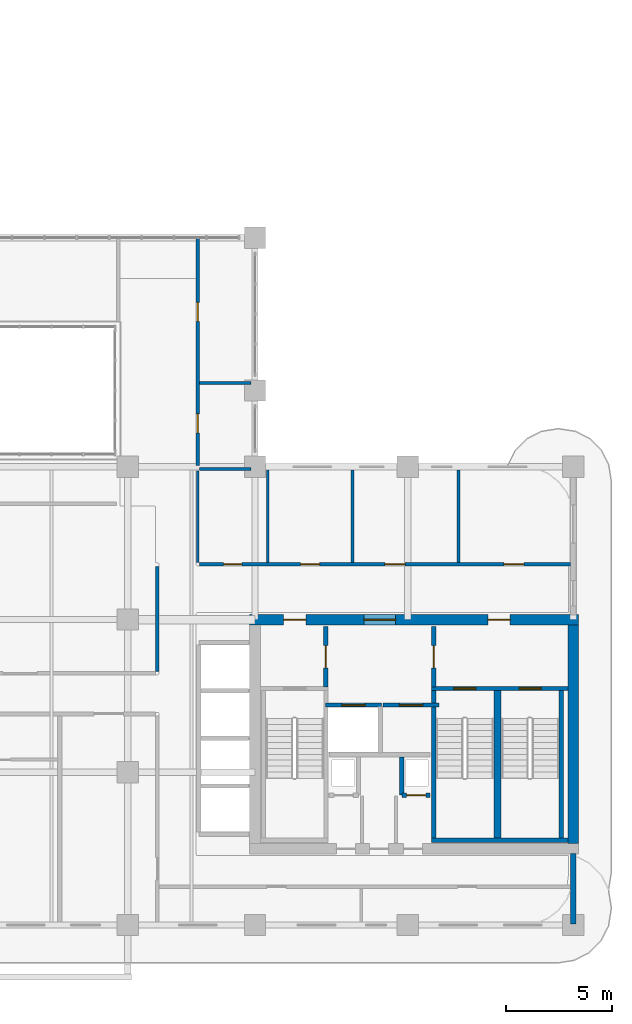
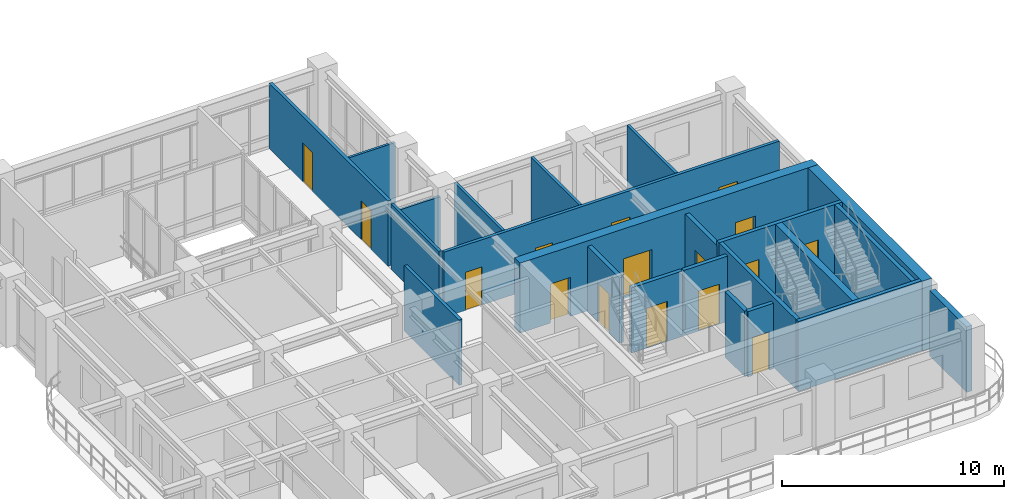
# One storey, part 13 of 19: 23 walls, 16 doors, 16 openings.
"""IFC4 building model written with IfcOpenShell, lengths in metres."""

from ifc_helpers import new_model, si_unit, derived_unit, direction, frame, frame_2d, origin, place, context, subcontext, project, spatial, rectangle, extrude, source, transform, mapped, material, layer, layer_set, type_object, type_shapes, element, fill, save


model = new_model("IFC4")

# Units and contexts
model_context = context("Model", 3, precision=1e-05, world=origin(), true_north=direction((0.0, 1.0)))
body_context = subcontext(model_context, "Body", "Model", "MODEL_VIEW")
ifc_project = project(units=[si_unit("LENGTHUNIT", "METRE"), si_unit("AREAUNIT", "SQUARE_METRE"), si_unit("VOLUMEUNIT", "CUBIC_METRE"), si_unit("PLANEANGLEUNIT", "RADIAN"), si_unit("MASSUNIT", "GRAM", prefix="KILO"), si_unit("THERMODYNAMICTEMPERATUREUNIT", "KELVIN"), si_unit("POWERUNIT", "WATT"), derived_unit("THERMALTRANSMITTANCEUNIT", [(si_unit("POWERUNIT", "WATT"), 1), (si_unit("AREAUNIT", "SQUARE_METRE"), -1), (si_unit("THERMODYNAMICTEMPERATUREUNIT", "KELVIN"), -1)])], contexts=[model_context])

# Site, building, storey
site_placement = place(None, origin())
site = spatial("IfcSite", under=ifc_project, at=site_placement, CompositionType="ELEMENT")
building_placement = place(site_placement, origin())
building = spatial("IfcBuilding", under=site, at=building_placement, Name="Zahravan Archway Hotel and Residences", CompositionType="ELEMENT")
storey_placement = place(building_placement, frame((0.0, 0.0, 158.0)))
storey = spatial("IfcBuildingStorey", under=building, at=storey_placement, Name="L39", CompositionType="ELEMENT", Elevation=158.0)

# Wall, openings, doors
ifc_material_1 = material(Name="Concrete C60/75", Category="concrete")
ifc_layer_1 = layer(ifc_material_1, 0.5, Name="Concrete C60/75", Category="concrete")
ifc_layer_set_1 = layer_set([ifc_layer_1], Name="Concrete C60/75")
wall_type_1 = type_object("IfcWallType", Name="CW-CORE-500", PredefinedType="SHEAR", material=ifc_layer_set_1)
wall_1_placement = place(storey_placement, frame((34.550048828125, 14.39990234375, 0.0), z_axis=(0.0, 0.0, 1.0), x_axis=(1.0, 0.0, 0.0)))
wall_1 = element("IfcWall", 1, at=wall_1_placement, inside=storey, type_object=wall_type_1, Name="L39 Core A Shear N Wall 500 mm", PredefinedType="SHEAR", context=body_context, shape_type="SweptSolid", body=[
    extrude(rectangle(XDim=15.5, YDim=0.5, at=frame_2d((7.75, 0.0))), origin(), (0.0, 0.0, 1.0), 3.85009765625),
])
opening_1_placement = place(wall_1_placement, frame((5.3798828125, 0.0, 0.0)))
opening_1 = element("IfcOpeningElement", 2, at=opening_1_placement, cuts=wall_1, Name="Opening FD-L1", PredefinedType="OPENING", context=body_context, shape_type="SweptSolid", body=[
    extrude(rectangle(XDim=1.5, YDim=2.199951171875, at=frame_2d((0.75, 1.10009765625))), frame((0.0, 0.260009765625, 0.0), z_axis=(0.0, -1.0, 0.0), x_axis=(1.0, 0.0, 0.0)), (0.0, 0.0, 1.0), 0.52001953125),
])
opening_2_placement = place(wall_1_placement, frame((1.594970703125, 0.0, 0.0)))
opening_2 = element("IfcOpeningElement", 3, at=opening_2_placement, cuts=wall_1, Name="Opening FD-L2", PredefinedType="OPENING", context=body_context, shape_type="SweptSolid", body=[
    extrude(rectangle(XDim=1.050048828125, YDim=2.14990234375, at=frame_2d((0.52490234375, 1.074951171875))), frame((0.0, 0.260009765625, 0.0), z_axis=(0.0, -1.0, 0.0), x_axis=(1.0, 0.0, 0.0)), (0.0, 0.0, 1.0), 0.52001953125),
])
opening_3_placement = place(wall_1_placement, frame((11.22509765625, 0.0, 0.0)))
opening_3 = element("IfcOpeningElement", 4, at=opening_3_placement, cuts=wall_1, Name="Opening FD-L2", PredefinedType="OPENING", context=body_context, shape_type="SweptSolid", body=[
    extrude(rectangle(XDim=1.050048828125, YDim=2.14990234375, at=frame_2d((0.52490234375, 1.074951171875))), frame((0.0, 0.260009765625, 0.0), z_axis=(0.0, -1.0, 0.0), x_axis=(1.0, 0.0, 0.0)), (0.0, 0.0, 1.0), 0.52001953125),
])
ifc_material_2 = material(Name="Fire-Rated Painted Steel", Category="steel")
door_type_1 = type_object("IfcDoorType", Name="FD-LOBBY-1100", OperationType="NOTDEFINED", PredefinedType="DOOR", material=ifc_material_2)
shared_shape_1 = source(origin(), body_context, "Body", "SweptSolid", [
    extrude(rectangle(XDim=1.050048828125, YDim=2.14990234375, at=frame_2d((0.52490234375, 1.074951171875))), frame((0.0, 0.02490234375, 0.0), z_axis=(0.0, -1.0, 0.0), x_axis=(1.0, 0.0, 0.0)), (0.0, 0.0, 1.0), 0.050048828125),
])
type_shapes(door_type_1, [shared_shape_1])
door_1_placement = place(opening_2_placement, origin())
door_1 = element("IfcDoor", 5, at=door_1_placement, inside=storey, type_object=door_type_1, Name="L39 Core A West Stair Lobby Door", OperationType="SINGLE_SWING_RIGHT", OverallHeight=2.14990234375, OverallWidth=1.050048828125, PredefinedType="DOOR", context=body_context, shape_type="MappedRepresentation", body=[
    mapped(shared_shape_1, transform((0.0, 0.0, 0.0), scale=1.0)),
])
fill(opening_2, door_1)
door_2_placement = place(opening_3_placement, origin())
door_2 = element("IfcDoor", 6, at=door_2_placement, inside=storey, type_object=door_type_1, Name="L39 Core A East Stair Lobby Door", OperationType="SINGLE_SWING_LEFT", OverallHeight=2.14990234375, OverallWidth=1.050048828125, PredefinedType="DOOR", context=body_context, shape_type="MappedRepresentation", body=[
    mapped(shared_shape_1, transform((0.0, 0.0, 0.0), scale=1.0)),
])
fill(opening_3, door_2)
door_type_2 = type_object("IfcDoorType", Name="FD-LOBBY-1500", OperationType="DOUBLE_DOOR_SINGLE_SWING", PredefinedType="DOOR", material=ifc_material_2)
shared_shape_2 = source(origin(), body_context, "Body", "SweptSolid", [
    extrude(rectangle(XDim=1.5, YDim=2.199951171875, at=frame_2d((0.75, 1.10009765625))), frame((0.0, 0.02490234375, 0.0), z_axis=(0.0, -1.0, 0.0), x_axis=(1.0, 0.0, 0.0)), (0.0, 0.0, 1.0), 0.050048828125),
])
type_shapes(door_type_2, [shared_shape_2])
door_3_placement = place(opening_1_placement, origin())
door_3 = element("IfcDoor", 7, at=door_3_placement, inside=storey, type_object=door_type_2, Name="L39 Core A FSAE Lobby Main Door", OperationType="DOUBLE_DOOR_SINGLE_SWING", OverallHeight=2.199951171875, OverallWidth=1.5, PredefinedType="DOOR", context=body_context, shape_type="MappedRepresentation", body=[
    mapped(shared_shape_2, transform((0.0, 0.0, 0.0), scale=1.0)),
])
fill(opening_1, door_3)

# Walls
wall_2_placement = place(storey_placement, frame((49.800048828125, 3.85009765625, 0.0), z_axis=(0.0, 0.0, 1.0), x_axis=(0.0, 1.0, 0.0)))
element("IfcWall", 8, at=wall_2_placement, inside=storey, type_object=wall_type_1, Name="L39 Core A Shear E Wall 500 mm", PredefinedType="SHEAR", context=body_context, shape_type="SweptSolid", body=[
    extrude(rectangle(XDim=10.2998046875, YDim=0.5, at=frame_2d((5.14990234375, 0.0))), origin(), (0.0, 0.0, 1.0), 3.85009765625),
])
ifc_material_3 = material(Name="Honed Red-Ochre Sandstone & Insulated Block", Category="masonry")
ifc_layer_2 = layer(ifc_material_3, 0.280029296875, Name="Honed Red-Ochre Sandstone & Insulated Block", Category="masonry")
ifc_layer_set_2 = layer_set([ifc_layer_2], Name="Honed Red-Ochre Sandstone & Insulated Block")
wall_type_2 = type_object("IfcWallType", Name="EW-LOG-280", PredefinedType="SOLIDWALL", material=ifc_layer_set_2)
wall_3_placement = place(storey_placement, frame((49.800048828125, 0.050048828125, 0.0), z_axis=(0.0, 0.0, 1.0), x_axis=(0.0, 1.0, 0.0)))
element("IfcWall", 9, at=wall_3_placement, inside=storey, type_object=wall_type_2, Name="L39 Exterior Sandstone Wall WA-ES", PredefinedType="SOLIDWALL", context=body_context, shape_type="SweptSolid", body=[
    extrude(rectangle(XDim=3.329833984375, YDim=0.280029296875, at=frame_2d((1.6650390625, 0.0))), origin(), (0.0, 0.0, 1.0), 3.60009765625),
])

# Wall, opening, door
ifc_material_4 = material(Name="Fire-Rated Gypsum & Concrete Block", Category="concrete")
ifc_layer_3 = layer(ifc_material_4, 0.219970703125, Name="Fire-Rated Gypsum & Concrete Block", Category="concrete")
ifc_layer_set_3 = layer_set([ifc_layer_3], Name="Fire-Rated Gypsum & Concrete Block")
wall_type_3 = type_object("IfcWallType", Name="PW-COMP-220", PredefinedType="PARTITIONING", material=ifc_layer_set_3)
wall_4_placement = place(storey_placement, frame((38.139892578125, 11.219970703125, 0.0), z_axis=(0.0, 0.0, 1.0), x_axis=(0.0, 1.0, 0.0)))
wall_4 = element("IfcWall", 10, at=wall_4_placement, inside=storey, type_object=wall_type_3, Name="L39 Partition CA-LOBW", PredefinedType="PARTITIONING", context=body_context, shape_type="SweptSolid", body=[
    extrude(rectangle(XDim=2.860107421875, YDim=0.219970703125, at=frame_2d((1.43017578125, 0.0))), origin(), (0.0, 0.0, 1.0), 3.60009765625),
])
opening_4_placement = place(wall_4_placement, frame((0.905029296875, 0.0, 0.0)))
opening_4 = element("IfcOpeningElement", 11, at=opening_4_placement, cuts=wall_4, Name="Opening FD-L2", PredefinedType="OPENING", context=body_context, shape_type="SweptSolid", body=[
    extrude(rectangle(XDim=1.050048828125, YDim=2.14990234375, at=frame_2d((0.52490234375, 1.074951171875))), frame((0.0, 0.1201171875, 0.0), z_axis=(0.0, -1.0, 0.0), x_axis=(1.0, 0.0, 0.0)), (0.0, 0.0, 1.0), 0.239990234375),
])
door_4_placement = place(opening_4_placement, origin())
door_4 = element("IfcDoor", 12, at=door_4_placement, inside=storey, type_object=door_type_1, Name="L39 Core A West Stair to FSAE Lobby Door", OperationType="SINGLE_SWING_RIGHT", OverallHeight=2.14990234375, OverallWidth=1.050048828125, PredefinedType="DOOR", context=body_context, shape_type="MappedRepresentation", body=[
    mapped(shared_shape_1, transform((0.0, 0.0, 0.0), scale=1.0)),
])
fill(opening_4, door_4)

wall_5_placement = place(storey_placement, frame((43.219970703125, 11.219970703125, 0.0), z_axis=(0.0, 0.0, 1.0), x_axis=(0.0, 1.0, 0.0)))
wall_5 = element("IfcWall", 13, at=wall_5_placement, inside=storey, type_object=wall_type_3, Name="L39 Partition CA-LOBE", PredefinedType="PARTITIONING", context=body_context, shape_type="SweptSolid", body=[
    extrude(rectangle(XDim=2.860107421875, YDim=0.219970703125, at=frame_2d((1.43017578125, 0.0))), origin(), (0.0, 0.0, 1.0), 3.60009765625),
])
opening_5_placement = place(wall_5_placement, frame((0.905029296875, 0.0, 0.0)))
opening_5 = element("IfcOpeningElement", 14, at=opening_5_placement, cuts=wall_5, Name="Opening FD-L2", PredefinedType="OPENING", context=body_context, shape_type="SweptSolid", body=[
    extrude(rectangle(XDim=1.050048828125, YDim=2.14990234375, at=frame_2d((0.52490234375, 1.074951171875))), frame((0.0, 0.1201171875, 0.0), z_axis=(0.0, -1.0, 0.0), x_axis=(1.0, 0.0, 0.0)), (0.0, 0.0, 1.0), 0.239990234375),
])
door_5_placement = place(opening_5_placement, origin())
door_5 = element("IfcDoor", 15, at=door_5_placement, inside=storey, type_object=door_type_1, Name="L39 Core A East Stair to FSAE Lobby Door", OperationType="SINGLE_SWING_LEFT", OverallHeight=2.14990234375, OverallWidth=1.050048828125, PredefinedType="DOOR", context=body_context, shape_type="MappedRepresentation", body=[
    mapped(shared_shape_1, transform((0.0, 0.0, 0.0), scale=1.0)),
])
fill(opening_5, door_5)

# Wall
ifc_layer_4 = layer(ifc_material_4, 0.159912109375, Name="Fire-Rated Gypsum & Concrete Block", Category="concrete")
ifc_layer_set_4 = layer_set([ifc_layer_4], Name="Fire-Rated Gypsum & Concrete Block")
wall_type_4 = type_object("IfcWallType", Name="PW-CORR-160", PredefinedType="PARTITIONING", material=ifc_layer_set_4)
wall_6_placement = place(storey_placement, frame((30.199951171875, 11.9599609375, 0.0), z_axis=(0.0, 0.0, 1.0), x_axis=(0.0, 1.0, 0.0)))
element("IfcWall", 16, at=wall_6_placement, inside=storey, type_object=wall_type_4, Name="L39 Partition WA-FW", PredefinedType="PARTITIONING", context=body_context, shape_type="SweptSolid", body=[
    extrude(rectangle(XDim=4.949951171875, YDim=0.159912109375, at=frame_2d((2.47509765625, 0.0))), origin(), (0.0, 0.0, 1.0), 3.60009765625),
])

# Wall, openings, doors
wall_7_placement = place(storey_placement, frame((32.18994140625, 17.0, 0.0), z_axis=(0.0, 0.0, 1.0), x_axis=(1.0, 0.0, 0.0)))
wall_7 = element("IfcWall", 17, at=wall_7_placement, inside=storey, type_object=wall_type_4, Name="L39 Partition WA-FN", PredefinedType="PARTITIONING", context=body_context, shape_type="SweptSolid", body=[
    extrude(rectangle(XDim=17.469970703125, YDim=0.159912109375, at=frame_2d((8.73486328125, 0.0))), origin(), (0.0, 0.0, 1.0), 3.60009765625),
])
opening_6_placement = place(wall_7_placement, frame((1.135009765625, 0.0, 0.0)))
opening_6 = element("IfcOpeningElement", 18, at=opening_6_placement, cuts=wall_7, Name="Opening D-B1", PredefinedType="OPENING", context=body_context, shape_type="SweptSolid", body=[
    extrude(rectangle(XDim=0.85009765625, YDim=2.10009765625, at=frame_2d((0.425048828125, 1.050048828125))), frame((0.0, 0.08984375, 0.0), z_axis=(0.0, -1.0, 0.0), x_axis=(1.0, 0.0, 0.0)), (0.0, 0.0, 1.0), 0.179931640625),
])
opening_7_placement = place(wall_7_placement, frame((4.760009765625, 0.0, 0.0)))
opening_7 = element("IfcOpeningElement", 19, at=opening_7_placement, cuts=wall_7, Name="Opening D-I2", PredefinedType="OPENING", context=body_context, shape_type="SweptSolid", body=[
    extrude(rectangle(XDim=0.89990234375, YDim=2.14990234375, at=frame_2d((0.449951171875, 1.074951171875))), frame((0.0, 0.08984375, 0.0), z_axis=(0.0, -1.0, 0.0), x_axis=(1.0, 0.0, 0.0)), (0.0, 0.0, 1.0), 0.179931640625),
])
opening_8_placement = place(wall_7_placement, frame((8.735107421875, 0.0, 0.0)))
opening_8 = element("IfcOpeningElement", 20, at=opening_8_placement, cuts=wall_7, Name="Opening D-I1", PredefinedType="OPENING", context=body_context, shape_type="SweptSolid", body=[
    extrude(rectangle(XDim=0.949951171875, YDim=2.14990234375, at=frame_2d((0.47509765625, 1.074951171875))), frame((0.0, 0.08984375, 0.0), z_axis=(0.0, -1.0, 0.0), x_axis=(1.0, 0.0, 0.0)), (0.0, 0.0, 1.0), 0.179931640625),
])
opening_9_placement = place(wall_7_placement, frame((14.3349609375, 0.0, 0.0)))
opening_9 = element("IfcOpeningElement", 21, at=opening_9_placement, cuts=wall_7, Name="Opening D-I1", PredefinedType="OPENING", context=body_context, shape_type="SweptSolid", body=[
    extrude(rectangle(XDim=0.949951171875, YDim=2.14990234375, at=frame_2d((0.47509765625, 1.074951171875))), frame((0.0, 0.08984375, 0.0), z_axis=(0.0, -1.0, 0.0), x_axis=(1.0, 0.0, 0.0)), (0.0, 0.0, 1.0), 0.179931640625),
])
ifc_material_5 = material(Name="Hardwood Veneer Timber", Category="wood")
door_type_3 = type_object("IfcDoorType", Name="ID-BATH-850", OperationType="NOTDEFINED", PredefinedType="DOOR", material=ifc_material_5)
shared_shape_3 = source(origin(), body_context, "Body", "SweptSolid", [
    extrude(rectangle(XDim=0.85009765625, YDim=2.10009765625, at=frame_2d((0.425048828125, 1.050048828125))), frame((0.0, 0.02490234375, 0.0), z_axis=(0.0, -1.0, 0.0), x_axis=(1.0, 0.0, 0.0)), (0.0, 0.0, 1.0), 0.050048828125),
])
type_shapes(door_type_3, [shared_shape_3])
door_6_placement = place(opening_6_placement, origin())
door_6 = element("IfcDoor", 22, at=door_6_placement, inside=storey, type_object=door_type_3, Name="L39 Accessible WC Door", OperationType="SINGLE_SWING_LEFT", OverallHeight=2.10009765625, OverallWidth=0.85009765625, PredefinedType="DOOR", context=body_context, shape_type="MappedRepresentation", body=[
    mapped(shared_shape_3, transform((0.0, 0.0, 0.0), scale=1.0)),
])
fill(opening_6, door_6)
door_type_4 = type_object("IfcDoorType", Name="ID-INT-950", OperationType="NOTDEFINED", PredefinedType="DOOR", material=ifc_material_5)
shared_shape_4 = source(origin(), body_context, "Body", "SweptSolid", [
    extrude(rectangle(XDim=0.949951171875, YDim=2.14990234375, at=frame_2d((0.47509765625, 1.074951171875))), frame((0.0, 0.02490234375, 0.0), z_axis=(0.0, -1.0, 0.0), x_axis=(1.0, 0.0, 0.0)), (0.0, 0.0, 1.0), 0.050048828125),
])
type_shapes(door_type_4, [shared_shape_4])
door_7_placement = place(opening_8_placement, origin())
door_7 = element("IfcDoor", 23, at=door_7_placement, inside=storey, type_object=door_type_4, Name="L39 Boardroom Door", OperationType="SINGLE_SWING_LEFT", OverallHeight=2.14990234375, OverallWidth=0.949951171875, PredefinedType="DOOR", context=body_context, shape_type="MappedRepresentation", body=[
    mapped(shared_shape_4, transform((0.0, 0.0, 0.0), scale=1.0)),
])
fill(opening_8, door_7)
door_8_placement = place(opening_9_placement, origin())
door_8 = element("IfcDoor", 24, at=door_8_placement, inside=storey, type_object=door_type_4, Name="L39 Therapy Clinic Door", OperationType="SINGLE_SWING_RIGHT", OverallHeight=2.14990234375, OverallWidth=0.949951171875, PredefinedType="DOOR", context=body_context, shape_type="MappedRepresentation", body=[
    mapped(shared_shape_4, transform((0.0, 0.0, 0.0), scale=1.0)),
])
fill(opening_9, door_8)
door_type_5 = type_object("IfcDoorType", Name="ID-INT-900", OperationType="NOTDEFINED", PredefinedType="DOOR", material=ifc_material_5)
shared_shape_5 = source(origin(), body_context, "Body", "SweptSolid", [
    extrude(rectangle(XDim=0.89990234375, YDim=2.14990234375, at=frame_2d((0.449951171875, 1.074951171875))), frame((0.0, 0.02490234375, 0.0), z_axis=(0.0, -1.0, 0.0), x_axis=(1.0, 0.0, 0.0)), (0.0, 0.0, 1.0), 0.050048828125),
])
type_shapes(door_type_5, [shared_shape_5])
door_9_placement = place(opening_7_placement, origin())
door_9 = element("IfcDoor", 25, at=door_9_placement, inside=storey, type_object=door_type_5, Name="L39 Pantry Door", OperationType="SINGLE_SWING_RIGHT", OverallHeight=2.14990234375, OverallWidth=0.89990234375, PredefinedType="DOOR", context=body_context, shape_type="MappedRepresentation", body=[
    mapped(shared_shape_5, transform((0.0, 0.0, 0.0), scale=1.0)),
])
fill(opening_7, door_9)

# Wall
ifc_material_6 = material(Name="Acoustic Stud Partition")
ifc_layer_5 = layer(ifc_material_6, 0.125, Name="Acoustic Stud Partition")
ifc_layer_set_5 = layer_set([ifc_layer_5], Name="Acoustic Stud Partition")
wall_type_5 = type_object("IfcWallType", Name="PW-INT-125", PredefinedType="PARTITIONING", material=ifc_layer_set_5)
wall_8_placement = place(storey_placement, frame((32.18994140625, 25.550048828125, 0.0), z_axis=(0.0, 0.0, 1.0), x_axis=(1.0, 0.0, 0.0)))
element("IfcWall", 26, at=wall_8_placement, inside=storey, type_object=wall_type_5, Name="L39 Partition ATR-EM1", PredefinedType="PARTITIONING", context=body_context, shape_type="SweptSolid", body=[
    extrude(rectangle(XDim=2.420166015625, YDim=0.125, at=frame_2d((1.2099609375, 0.0))), origin(), (0.0, 0.0, 1.0), 3.60009765625),
])

# Wall, opening, door
ifc_layer_6 = layer(ifc_material_4, 0.199951171875, Name="Fire-Rated Gypsum & Concrete Block", Category="concrete")
ifc_layer_set_6 = layer_set([ifc_layer_6], Name="Fire-Rated Gypsum & Concrete Block")
wall_type_6 = type_object("IfcWallType", Name="PW-SHAFT-200", PredefinedType="PARTITIONING", material=ifc_layer_set_6)
wall_9_placement = place(storey_placement, frame((41.72998046875, 6.1201171875, 0.0), z_axis=(0.0, 0.0, 1.0), x_axis=(1.0, 0.0, 0.0)))
wall_9 = element("IfcWall", 27, at=wall_9_placement, inside=storey, type_object=wall_type_6, Name="L39 Partition CA-MEPS", PredefinedType="PARTITIONING", context=body_context, shape_type="SweptSolid", body=[
    extrude(rectangle(XDim=1.320068359375, YDim=0.199951171875, at=frame_2d((0.66015625, 0.0))), origin(), (0.0, 0.0, 1.0), 3.60009765625),
])
opening_10_placement = place(wall_9_placement, frame((0.219970703125, 0.0, 0.0)))
opening_10 = element("IfcOpeningElement", 28, at=opening_10_placement, cuts=wall_9, Name="Opening FD-R1", PredefinedType="OPENING", context=body_context, shape_type="SweptSolid", body=[
    extrude(rectangle(XDim=0.89990234375, YDim=2.10009765625, at=frame_2d((0.449951171875, 1.050048828125))), frame((0.0, 0.10986328125, 0.0), z_axis=(0.0, -1.0, 0.0), x_axis=(1.0, 0.0, 0.0)), (0.0, 0.0, 1.0), 0.219970703125),
])
door_type_6 = type_object("IfcDoorType", Name="FD-RISER-900", OperationType="NOTDEFINED", PredefinedType="DOOR", material=ifc_material_2)
shared_shape_6 = source(origin(), body_context, "Body", "SweptSolid", [
    extrude(rectangle(XDim=0.89990234375, YDim=2.10009765625, at=frame_2d((0.449951171875, 1.050048828125))), frame((0.0, 0.02490234375, 0.0), z_axis=(0.0, -1.0, 0.0), x_axis=(1.0, 0.0, 0.0)), (0.0, 0.0, 1.0), 0.050048828125),
])
type_shapes(door_type_6, [shared_shape_6])
door_10_placement = place(opening_10_placement, origin())
door_10 = element("IfcDoor", 29, at=door_10_placement, inside=storey, type_object=door_type_6, Name="L39 MEP Riser Access Door", OperationType="SINGLE_SWING_LEFT", OverallHeight=2.10009765625, OverallWidth=0.89990234375, PredefinedType="DOOR", context=body_context, shape_type="MappedRepresentation", body=[
    mapped(shared_shape_6, transform((0.0, 0.0, 0.0), scale=1.0)),
])
fill(opening_10, door_10)

# Wall
wall_10_placement = place(storey_placement, frame((41.719970703125, 6.1298828125, 0.0), z_axis=(0.0, 0.0, 1.0), x_axis=(0.0, 1.0, 0.0)))
element("IfcWall", 30, at=wall_10_placement, inside=storey, type_object=wall_type_6, Name="L39 Partition CA-MEPW", PredefinedType="PARTITIONING", context=body_context, shape_type="SweptSolid", body=[
    extrude(rectangle(XDim=1.7900390625, YDim=0.199951171875, at=frame_2d((0.89501953125, 0.0))), origin(), (0.0, 0.0, 1.0), 3.60009765625),
])

# Wall, opening, door
wall_11_placement = place(storey_placement, frame((38.1201171875, 10.3701171875, 0.0), z_axis=(0.0, 0.0, 1.0), x_axis=(1.0, 0.0, 0.0)))
wall_11 = element("IfcWall", 31, at=wall_11_placement, inside=storey, type_object=wall_type_6, Name="L39 Lift FL-1 Front Wall", PredefinedType="PARTITIONING", context=body_context, shape_type="SweptSolid", body=[
    extrude(rectangle(XDim=2.639892578125, YDim=0.199951171875, at=frame_2d((1.31982421875, 0.0))), origin(), (0.0, 0.0, 1.0), 3.60009765625),
])
opening_11_placement = place(wall_11_placement, frame((0.77001953125, 0.0, 0.0)))
opening_11 = element("IfcOpeningElement", 32, at=opening_11_placement, cuts=wall_11, Name="Opening LD", PredefinedType="OPENING", context=body_context, shape_type="SweptSolid", body=[
    extrude(rectangle(XDim=1.10009765625, YDim=2.199951171875, at=frame_2d((0.550048828125, 1.10009765625))), frame((0.0, 0.10986328125, 0.0), z_axis=(0.0, -1.0, 0.0), x_axis=(1.0, 0.0, 0.0)), (0.0, 0.0, 1.0), 0.219970703125),
])
ifc_material_7 = material(Name="Brushed Stainless Steel", Category="steel")
door_type_7 = type_object("IfcDoorType", Name="DR-LIFT-LD", OperationType="SLIDING_TO_LEFT", PredefinedType="DOOR", material=ifc_material_7)
shared_shape_7 = source(origin(), body_context, "Body", "SweptSolid", [
    extrude(rectangle(XDim=1.10009765625, YDim=2.199951171875, at=frame_2d((0.550048828125, 1.10009765625))), frame((0.0, 0.02490234375, 0.0), z_axis=(0.0, -1.0, 0.0), x_axis=(1.0, 0.0, 0.0)), (0.0, 0.0, 1.0), 0.050048828125),
])
type_shapes(door_type_7, [shared_shape_7])
door_11_placement = place(opening_11_placement, origin())
door_11 = element("IfcDoor", 33, at=door_11_placement, inside=storey, type_object=door_type_7, Name="L39 Lift FL-1 Sliding Landing Door", OperationType="SLIDING_TO_LEFT", OverallHeight=2.199951171875, OverallWidth=1.10009765625, PredefinedType="DOOR", context=body_context, shape_type="MappedRepresentation", body=[
    mapped(shared_shape_7, transform((0.0, 0.0, 0.0), scale=1.0)),
])
fill(opening_11, door_11)

wall_12_placement = place(storey_placement, frame((40.840087890625, 10.3701171875, 0.0), z_axis=(0.0, 0.0, 1.0), x_axis=(1.0, 0.0, 0.0)))
wall_12 = element("IfcWall", 34, at=wall_12_placement, inside=storey, type_object=wall_type_6, Name="L39 Lift FL-2 Front Wall", PredefinedType="PARTITIONING", context=body_context, shape_type="SweptSolid", body=[
    extrude(rectangle(XDim=2.639892578125, YDim=0.199951171875, at=frame_2d((1.31982421875, 0.0))), origin(), (0.0, 0.0, 1.0), 3.60009765625),
])
opening_12_placement = place(wall_12_placement, frame((0.77001953125, 0.0, 0.0)))
opening_12 = element("IfcOpeningElement", 35, at=opening_12_placement, cuts=wall_12, Name="Opening LD", PredefinedType="OPENING", context=body_context, shape_type="SweptSolid", body=[
    extrude(rectangle(XDim=1.10009765625, YDim=2.199951171875, at=frame_2d((0.550048828125, 1.10009765625))), frame((0.0, 0.10986328125, 0.0), z_axis=(0.0, -1.0, 0.0), x_axis=(1.0, 0.0, 0.0)), (0.0, 0.0, 1.0), 0.219970703125),
])
door_12_placement = place(opening_12_placement, origin())
door_12 = element("IfcDoor", 36, at=door_12_placement, inside=storey, type_object=door_type_7, Name="L39 Lift FL-2 Sliding Landing Door", OperationType="SLIDING_TO_LEFT", OverallHeight=2.199951171875, OverallWidth=1.10009765625, PredefinedType="DOOR", context=body_context, shape_type="MappedRepresentation", body=[
    mapped(shared_shape_7, transform((0.0, 0.0, 0.0), scale=1.0)),
])
fill(opening_12, door_12)

# Wall, openings, doors
ifc_layer_7 = layer(ifc_material_6, 0.169921875, Name="Acoustic Stud Partition")
ifc_layer_set_7 = layer_set([ifc_layer_7], Name="Acoustic Stud Partition")
wall_type_7 = type_object("IfcWallType", Name="PW-UNIT-170", PredefinedType="PARTITIONING", material=ifc_layer_set_7)
wall_13_placement = place(storey_placement, frame((32.10009765625, 21.669921875, 0.0), z_axis=(0.0, 0.0, 1.0), x_axis=(0.0, 1.0, 0.0)))
wall_13 = element("IfcWall", 37, at=wall_13_placement, inside=storey, type_object=wall_type_7, Name="L39 Partition ATR-E", PredefinedType="PARTITIONING", context=body_context, shape_type="SweptSolid", body=[
    extrude(rectangle(XDim=10.7021484375, YDim=0.169921875, at=frame_2d((5.35107421875, 0.0))), origin(), (0.0, 0.0, 1.0), 3.60009765625),
])
opening_13_placement = place(wall_13_placement, frame((1.530029296875, 0.0, 0.0)))
opening_13 = element("IfcOpeningElement", 38, at=opening_13_placement, cuts=wall_13, Name="Opening D-I2", PredefinedType="OPENING", context=body_context, shape_type="SweptSolid", body=[
    extrude(rectangle(XDim=0.89990234375, YDim=2.14990234375, at=frame_2d((0.449951171875, 1.074951171875))), frame((0.0, 0.094970703125, 0.0), z_axis=(0.0, -1.0, 0.0), x_axis=(1.0, 0.0, 0.0)), (0.0, 0.0, 1.0), 0.18994140625),
])
opening_14_placement = place(wall_13_placement, frame((6.780029296875, 0.0, 0.0)))
opening_14 = element("IfcOpeningElement", 39, at=opening_14_placement, cuts=wall_13, Name="Opening D-I2", PredefinedType="OPENING", context=body_context, shape_type="SweptSolid", body=[
    extrude(rectangle(XDim=0.89990234375, YDim=2.14990234375, at=frame_2d((0.449951171875, 1.074951171875))), frame((0.0, 0.094970703125, 0.0), z_axis=(0.0, -1.0, 0.0), x_axis=(1.0, 0.0, 0.0)), (0.0, 0.0, 1.0), 0.18994140625),
])
door_13_placement = place(opening_13_placement, origin())
door_13 = element("IfcDoor", 40, at=door_13_placement, inside=storey, type_object=door_type_5, Name="L39 Atrium Office Door", OperationType="SINGLE_SWING_RIGHT", OverallHeight=2.14990234375, OverallWidth=0.89990234375, PredefinedType="DOOR", context=body_context, shape_type="MappedRepresentation", body=[
    mapped(shared_shape_5, transform((0.0, 0.0, 0.0), scale=1.0)),
])
fill(opening_13, door_13)
door_14_placement = place(opening_14_placement, origin())
door_14 = element("IfcDoor", 41, at=door_14_placement, inside=storey, type_object=door_type_5, Name="L39 Atrium Boardroom Door", OperationType="SINGLE_SWING_LEFT", OverallHeight=2.14990234375, OverallWidth=0.89990234375, PredefinedType="DOOR", context=body_context, shape_type="MappedRepresentation", body=[
    mapped(shared_shape_5, transform((0.0, 0.0, 0.0), scale=1.0)),
])
fill(opening_14, door_14)

# Walls
ifc_material_8 = material(Name="Moisture-Resistant Blockwork", Category="masonry")
ifc_layer_8 = layer(ifc_material_8, 0.139892578125, Name="Moisture-Resistant Blockwork", Category="masonry")
ifc_layer_set_8 = layer_set([ifc_layer_8], Name="Moisture-Resistant Blockwork")
wall_type_8 = type_object("IfcWallType", Name="PW-WET-140", PredefinedType="PARTITIONING", material=ifc_layer_set_8)
wall_14_placement = place(storey_placement, frame((32.10009765625, 17.090087890625, 0.0), z_axis=(0.0, 0.0, 1.0), x_axis=(0.0, 1.0, 0.0)))
element("IfcWall", 42, at=wall_14_placement, inside=storey, type_object=wall_type_8, Name="L39 Partition NE-W0", PredefinedType="PARTITIONING", context=body_context, shape_type="SweptSolid", body=[
    extrude(rectangle(XDim=4.31982421875, YDim=0.139892578125, at=frame_2d((2.159912109375, 0.0))), origin(), (0.0, 0.0, 1.0), 3.60009765625),
])
for number, where, z_axis, x_axis, name in (
    (43, (35.39990234375, 17.090087890625, 0.0), (0.0, 0.0, 1.0), (0.0, 1.0, 0.0), "L39 Partition NE2-1"),
    (44, (39.39990234375, 17.090087890625, 0.0), (0.0, 0.0, 1.0), (0.0, 1.0, 0.0), "L39 Partition NE2-2"),
    (45, (44.39990234375, 17.090087890625, 0.0), (0.0, 0.0, 1.0), (0.0, 1.0, 0.0), "L39 Partition NE2-3"),
):
    element("IfcWall", number, at=place(storey_placement, frame(where, z_axis=z_axis, x_axis=x_axis)), inside=storey, type_object=wall_type_8, Name=name, PredefinedType="PARTITIONING", context=body_context, shape_type="SweptSolid", body=[
        extrude(rectangle(XDim=4.36181640625, YDim=0.139892578125, at=frame_2d((2.180908203125, 0.0))), origin(), (0.0, 0.0, 1.0), 3.60009765625),
    ])
wall_15_placement = place(storey_placement, frame((32.18994140625, 21.5, 0.0), z_axis=(0.0, 0.0, 1.0), x_axis=(1.0, 0.0, 0.0)))
element("IfcWall", 46, at=wall_15_placement, inside=storey, type_object=wall_type_8, Name="L39 Partition ATR-ES", PredefinedType="PARTITIONING", context=body_context, shape_type="SweptSolid", body=[
    extrude(rectangle(XDim=2.420166015625, YDim=0.139892578125, at=frame_2d((1.2099609375, 0.0))), origin(), (0.0, 0.0, 1.0), 3.0849609375),
])
ifc_material_9 = material(Name="Concrete C50/60", Category="concrete")
ifc_layer_9 = layer(ifc_material_9, 0.199951171875, Name="Concrete C50/60", Category="concrete")
ifc_layer_set_9 = layer_set([ifc_layer_9], Name="Concrete C50/60")
wall_type_9 = type_object("IfcWallType", Name="SW-STAIR-200", PredefinedType="SHEAR", material=ifc_layer_set_9)
wall_16_placement = place(storey_placement, frame((43.1201171875, 4.0, 0.0), z_axis=(0.0, 0.0, 1.0), x_axis=(1.0, 0.0, 0.0)))
element("IfcWall", 47, at=wall_16_placement, inside=storey, type_object=wall_type_9, Name="L39 Stairwell RC Wall CA-SA23S", PredefinedType="SHEAR", context=body_context, shape_type="SweptSolid", body=[
    extrude(rectangle(XDim=6.429931640625, YDim=0.199951171875, at=frame_2d((3.21484375, 0.0))), origin(), (0.0, 0.0, 1.0), 3.85009765625),
])
for number, where, z_axis, x_axis, name in (
    (48, (43.219970703125, 4.10009765625, 0.0), (0.0, 0.0, 1.0), (0.0, 1.0, 0.0), "L39 Stairwell RC Wall CA-SA2W"),
    (49, (49.239990234375, 4.10009765625, 0.0), (0.0, 0.0, 1.0), (0.0, 1.0, 0.0), "L39 Stairwell RC Wall CA-SA3E"),
):
    element("IfcWall", number, at=place(storey_placement, frame(where, z_axis=z_axis, x_axis=x_axis)), inside=storey, type_object=wall_type_9, Name=name, PredefinedType="SHEAR", context=body_context, shape_type="SweptSolid", body=[
        extrude(rectangle(XDim=6.949951171875, YDim=0.199951171875, at=frame_2d((3.47509765625, 0.0))), origin(), (0.0, 0.0, 1.0), 3.85009765625),
    ])

# Wall, openings, doors
wall_17_placement = place(storey_placement, frame((43.1201171875, 11.14990234375, 0.0), z_axis=(0.0, 0.0, 1.0), x_axis=(1.0, 0.0, 0.0)))
wall_17 = element("IfcWall", 50, at=wall_17_placement, inside=storey, type_object=wall_type_9, Name="L39 Stairwell RC Wall CA-SA23N", PredefinedType="SHEAR", context=body_context, shape_type="SweptSolid", body=[
    extrude(rectangle(XDim=6.429931640625, YDim=0.199951171875, at=frame_2d((3.21484375, 0.0))), origin(), (0.0, 0.0, 1.0), 3.85009765625),
])
opening_15_placement = place(wall_17_placement, frame((1.044921875, 0.0, 0.0)))
opening_15 = element("IfcOpeningElement", 51, at=opening_15_placement, cuts=wall_17, Name="Opening FD-S1", PredefinedType="OPENING", context=body_context, shape_type="SweptSolid", body=[
    extrude(rectangle(XDim=1.050048828125, YDim=2.199951171875, at=frame_2d((0.52490234375, 1.10009765625))), frame((0.0, 0.10986328125, 0.0), z_axis=(0.0, -1.0, 0.0), x_axis=(1.0, 0.0, 0.0)), (0.0, 0.0, 1.0), 0.219970703125),
])
opening_16_placement = place(wall_17_placement, frame((4.125, 0.0, 0.0)))
opening_16 = element("IfcOpeningElement", 52, at=opening_16_placement, cuts=wall_17, Name="Opening FD-S1", PredefinedType="OPENING", context=body_context, shape_type="SweptSolid", body=[
    extrude(rectangle(XDim=1.050048828125, YDim=2.199951171875, at=frame_2d((0.52490234375, 1.10009765625))), frame((0.0, 0.10986328125, 0.0), z_axis=(0.0, -1.0, 0.0), x_axis=(1.0, 0.0, 0.0)), (0.0, 0.0, 1.0), 0.219970703125),
])
door_type_8 = type_object("IfcDoorType", Name="FD-STAIR-1100", OperationType="NOTDEFINED", PredefinedType="DOOR", material=ifc_material_2)
shared_shape_8 = source(origin(), body_context, "Body", "SweptSolid", [
    extrude(rectangle(XDim=1.050048828125, YDim=2.199951171875, at=frame_2d((0.52490234375, 1.10009765625))), frame((0.0, 0.02490234375, 0.0), z_axis=(0.0, -1.0, 0.0), x_axis=(1.0, 0.0, 0.0)), (0.0, 0.0, 1.0), 0.050048828125),
])
type_shapes(door_type_8, [shared_shape_8])
door_15_placement = place(opening_15_placement, origin())
door_15 = element("IfcDoor", 53, at=door_15_placement, inside=storey, type_object=door_type_8, Name="L39 Stair ST-A2 Door", OperationType="SINGLE_SWING_RIGHT", OverallHeight=2.199951171875, OverallWidth=1.050048828125, PredefinedType="DOOR", context=body_context, shape_type="MappedRepresentation", body=[
    mapped(shared_shape_8, transform((0.0, 0.0, 0.0), scale=1.0)),
])
fill(opening_15, door_15)
door_16_placement = place(opening_16_placement, origin())
door_16 = element("IfcDoor", 54, at=door_16_placement, inside=storey, type_object=door_type_8, Name="L39 Stair ST-A3 Door", OperationType="SINGLE_SWING_LEFT", OverallHeight=2.199951171875, OverallWidth=1.050048828125, PredefinedType="DOOR", context=body_context, shape_type="MappedRepresentation", body=[
    mapped(shared_shape_8, transform((0.0, 0.0, 0.0), scale=1.0)),
])
fill(opening_16, door_16)

# Wall
ifc_layer_10 = layer(ifc_material_9, 0.340087890625, Name="Concrete C50/60", Category="concrete")
ifc_layer_set_10 = layer_set([ifc_layer_10], Name="Concrete C50/60")
wall_type_10 = type_object("IfcWallType", Name="SW-STAIR-340", PredefinedType="SHEAR", material=ifc_layer_set_10)
wall_18_placement = place(storey_placement, frame((46.22998046875, 4.10009765625, 0.0), z_axis=(0.0, 0.0, 1.0), x_axis=(0.0, 1.0, 0.0)))
element("IfcWall", 55, at=wall_18_placement, inside=storey, type_object=wall_type_10, Name="L39 Stairwell RC Wall CA-SA23M", PredefinedType="SHEAR", context=body_context, shape_type="SweptSolid", body=[
    extrude(rectangle(XDim=6.949951171875, YDim=0.340087890625, at=frame_2d((3.47509765625, 0.0))), origin(), (0.0, 0.0, 1.0), 3.85009765625),
])

save(model, "model.ifc")
